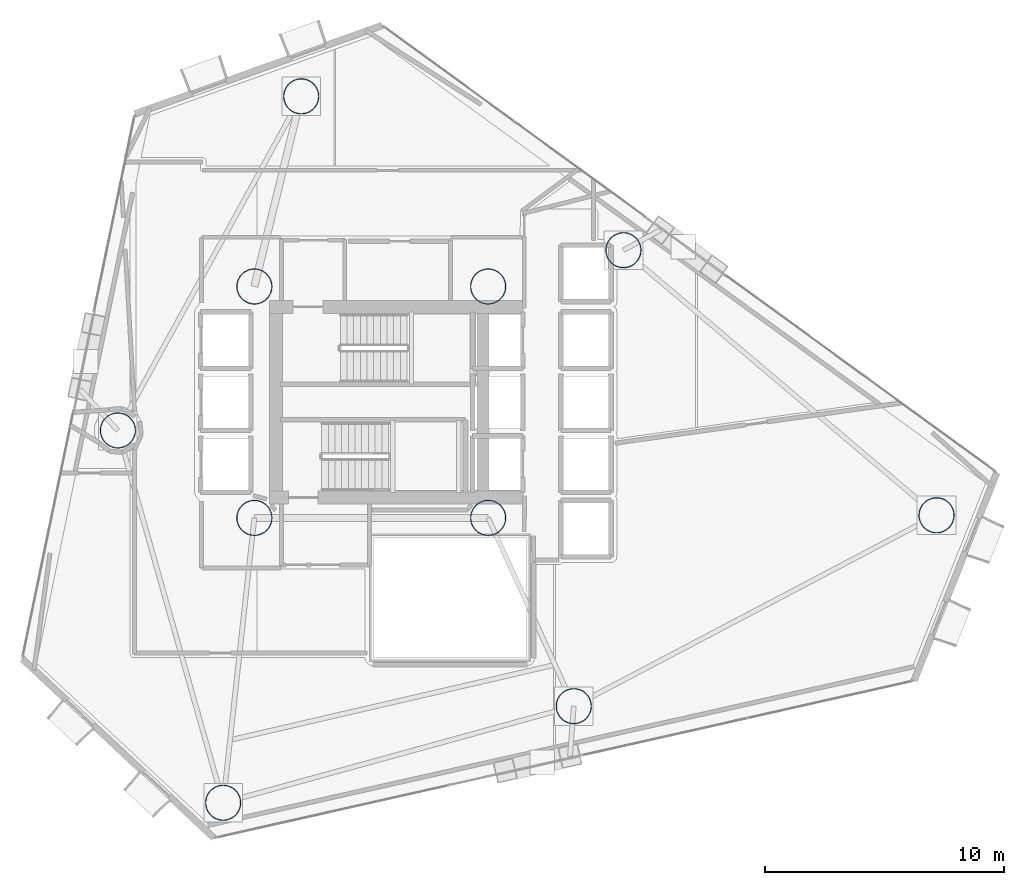
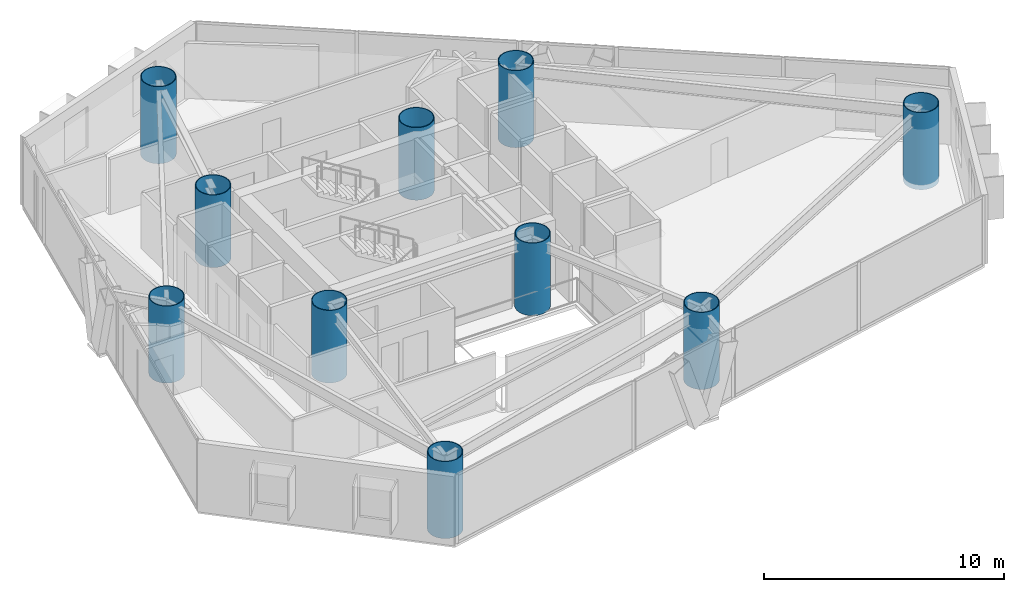
# One storey, part 1 of 18: 10 columns.
"""IFC4 building model written with IfcOpenShell, lengths in metres."""

from ifc_helpers import new_model, si_unit, direction, frame, origin, origin_2d, place, context, subcontext, project, spatial, hollow_circle, extrude, material, material_profile, profile_set, type_object, element, save


model = new_model("IFC4")

# Units and contexts
model_context = context("Model", 3, precision=1e-05, world=origin(), true_north=direction((0.0, 1.0)))
body_context = subcontext(model_context, "Body", "Model", "MODEL_VIEW")
ifc_project = project(units=[si_unit("LENGTHUNIT", "METRE"), si_unit("AREAUNIT", "SQUARE_METRE"), si_unit("VOLUMEUNIT", "CUBIC_METRE"), si_unit("PLANEANGLEUNIT", "RADIAN"), si_unit("MASSUNIT", "GRAM", prefix="KILO")], contexts=[model_context])

# Site, building, storey
site_placement = place(None, origin())
site = spatial("IfcSite", under=ifc_project, at=site_placement, CompositionType="ELEMENT")
building_placement = place(site_placement, origin())
building = spatial("IfcBuilding", under=site, at=building_placement, Name="Qianvela Tower", CompositionType="ELEMENT")
storey_placement = place(building_placement, frame((0.0, 0.0, 97.800048828125)))
storey = spatial("IfcBuildingStorey", under=building, at=storey_placement, Name="L24", CompositionType="ELEMENT", Elevation=97.800048828125)

# Columns
ifc_material = material(Name="Steel Q420GJC", Category="steel")
ifc_material_profile = material_profile(ifc_material, hollow_circle(Radius=0.75, WallThickness=0.035888671875, at=origin_2d()), Name="CFT-1500x36")
ifc_profile_set = profile_set([ifc_material_profile], Name="Steel Q420GJC")
column_type = type_object("IfcColumnType", Name="COL-CFT-1500x36", PredefinedType="COLUMN", material=ifc_profile_set)
for number, where, z_axis, x_axis, name in (
    (1, (28.60009765625, 33.550048828125, 0.0), (0.0, 0.0, 1.0), (1.0, 0.0, 0.0), "L24 Core Corner Mega-Column CC-NW"),
    (2, (28.60009765625, 23.85009765625, 0.0), (0.0, 0.0, 1.0), (1.0, 0.0, 0.0), "L24 Core Corner Mega-Column CC-SW"),
    (3, (38.39990234375, 33.550048828125, 0.0), (0.0, 0.0, 1.0), (1.0, 0.0, 0.0), "L24 Core Corner Mega-Column CC-NE"),
    (4, (38.39990234375, 23.85009765625, 0.0), (0.0, 0.0, 1.0), (1.0, 0.0, 0.0), "L24 Core Corner Mega-Column CC-SE"),
):
    element("IfcColumn", number, at=place(storey_placement, frame(where, z_axis=z_axis, x_axis=x_axis)), inside=storey, type_object=column_type, Name=name, PredefinedType="COLUMN", context=body_context, shape_type="SweptSolid", body=[
        extrude(hollow_circle(Radius=0.75, WallThickness=0.035888671875, at=origin_2d()), origin(), (0.0, 0.0, 1.0), 3.699951171875),
    ])
for number, where, z_axis, x_axis, name in (
    (5, (57.194091796875, 23.9580078125, -0.22998046875), (0.0, 0.0, 1.0), (1.0, 0.0, 0.0), "L24 Zone Z3 CFT Mega-Column C1"),
    (6, (44.071044921875, 35.070068359375, -0.22998046875), (0.0, 0.0, 1.0), (1.0, 0.0, 0.0), "L24 Zone Z3 CFT Mega-Column C2"),
    (7, (30.56396484375, 41.52099609375, -0.22998046875), (0.0, 0.0, 1.0), (1.0, 0.0, 0.0), "L24 Zone Z3 CFT Mega-Column C3"),
    (8, (22.8779296875, 27.51611328125, -0.22998046875), (0.0, 0.0, 1.0), (1.0, 0.0, 0.0), "L24 Zone Z3 CFT Mega-Column C4"),
    (9, (27.2919921875, 11.908935546875, -0.22998046875), (0.0, 0.0, 1.0), (1.0, 0.0, 0.0), "L24 Zone Z3 CFT Mega-Column C5"),
    (10, (41.988037109375, 15.95703125, -0.22998046875), (0.0, 0.0, 1.0), (1.0, 0.0, 0.0), "L24 Zone Z3 CFT Mega-Column C6"),
):
    element("IfcColumn", number, at=place(storey_placement, frame(where, z_axis=z_axis, x_axis=x_axis)), inside=storey, type_object=column_type, Name=name, PredefinedType="COLUMN", context=body_context, shape_type="SweptSolid", body=[
        extrude(hollow_circle(Radius=0.75, WallThickness=0.035888671875, at=origin_2d()), origin(), (0.0, 0.0, 1.0), 3.929931640625),
    ])

save(model, "model.ifc")
